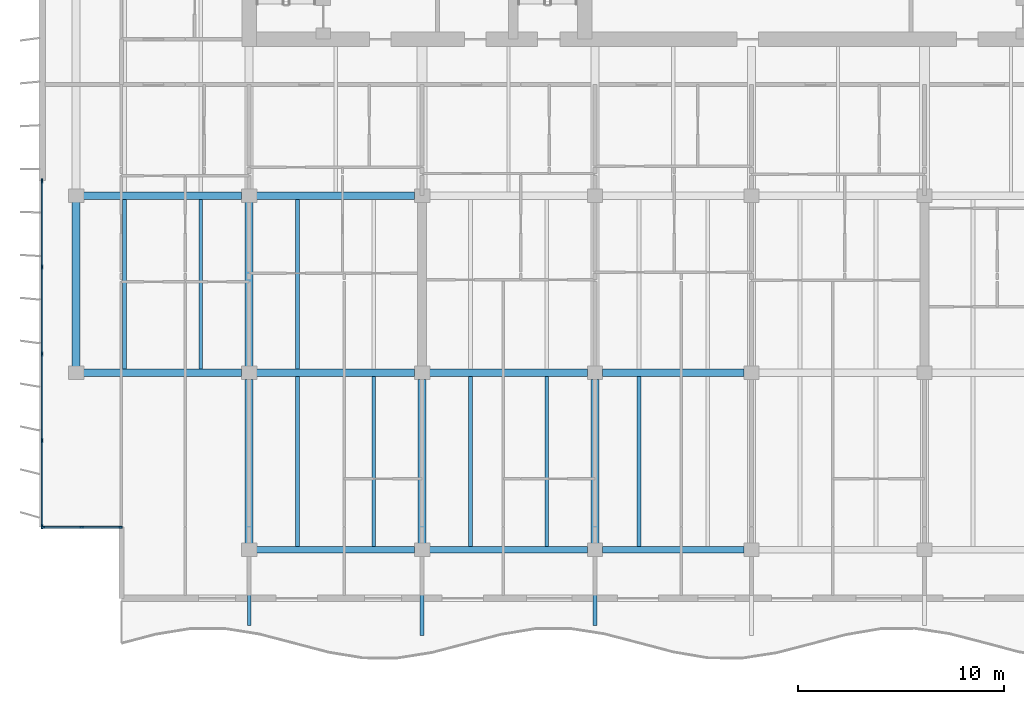
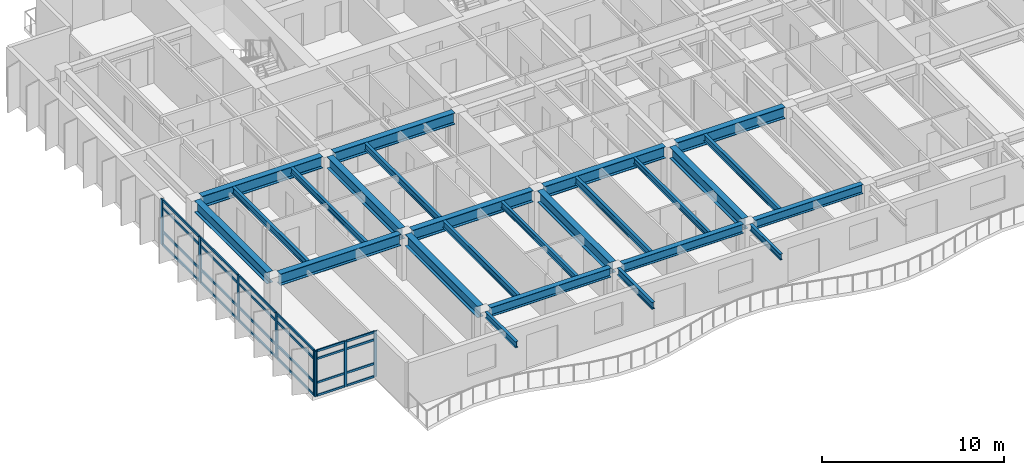
# One storey, part 2 of 17: 32 members, 25 beams, 2 elements without a shape of their own.
"""IFC4 building model written with IfcOpenShell, lengths in metres."""

from ifc_helpers import new_model, si_unit, direction, frame, origin, origin_2d, place, context, subcontext, project, spatial, rectangle, i_section, extrude, material, layer, layer_set, material_profile, profile_set, type_object, element, aggregate, save


model = new_model("IFC4")

# Units and contexts
model_context = context("Model", 3, precision=1e-05, world=origin(), true_north=direction((0.0, 1.0)))
body_context = subcontext(model_context, "Body", "Model", "MODEL_VIEW")
ifc_project = project(units=[si_unit("LENGTHUNIT", "METRE"), si_unit("AREAUNIT", "SQUARE_METRE"), si_unit("VOLUMEUNIT", "CUBIC_METRE"), si_unit("PLANEANGLEUNIT", "RADIAN"), si_unit("MASSUNIT", "GRAM", prefix="KILO")], contexts=[model_context])

# Site, building, storey
site_placement = place(None, origin())
site = spatial("IfcSite", under=ifc_project, at=site_placement, CompositionType="ELEMENT")
building_placement = place(site_placement, origin())
building = spatial("IfcBuilding", under=site, at=building_placement, Name="Caelmar Bay Residences", CompositionType="ELEMENT")
storey_placement = place(building_placement, frame((0.0, 0.0, 262.800048828125)))
storey = spatial("IfcBuildingStorey", under=building, at=storey_placement, Name="L74", CompositionType="ELEMENT", Elevation=262.800048828125)

# Beams
ifc_material_1 = material(Name="Steel ASTM A992 Grade 50", Category="steel")
ifc_material_profile_1 = material_profile(ifc_material_1, i_section(OverallWidth=0.177978515625, OverallDepth=0.406005859375, WebThickness=0.0078125, FlangeThickness=0.0126953125, FilletRadius=0.0087890625, at=origin_2d()), Name="W16X40")
ifc_profile_set_1 = profile_set([ifc_material_profile_1], Name="Steel ASTM A992 Grade 50")
beam_type_1 = type_object("IfcBeamType", Name="BM-BAL-W16X40", PredefinedType="JOIST", material=ifc_profile_set_1)
for number, where, z_axis, x_axis, name in (
    (1, (24.347900390625, 12.362548828125, 2.846923828125), (0.0, 1.0, 0.0), (-1.0, 0.0, 0.0), "L74 Composite Floor Joist 2"),
    (2, (32.748046875, 12.362548828125, 2.846923828125), (0.0, 1.0, 0.0), (-1.0, 0.0, 0.0), "L74 Composite Floor Joist 4"),
):
    element("IfcBeam", number, at=place(storey_placement, frame(where, z_axis=z_axis, x_axis=x_axis)), inside=storey, type_object=beam_type_1, Name=name, PredefinedType="JOIST", context=body_context, shape_type="SweptSolid", body=[
        extrude(i_section(OverallWidth=0.177978515625, OverallDepth=0.406005859375, WebThickness=0.0078125, FlangeThickness=0.0126953125, FilletRadius=0.0087890625, at=origin_2d()), origin(), (0.0, 0.0, 1.0), 8.2470703125),
    ])
beam_1_placement = place(storey_placement, frame((15.947998046875, 20.990478515625, 2.846923828125), z_axis=(0.0, 1.0, 0.0), x_axis=(-1.0, 0.0, 0.0)))
element("IfcBeam", 3, at=beam_1_placement, inside=storey, type_object=beam_type_1, Name="L74 Composite Floor Joist 12", PredefinedType="JOIST", context=body_context, shape_type="SweptSolid", body=[
    extrude(i_section(OverallWidth=0.177978515625, OverallDepth=0.406005859375, WebThickness=0.0078125, FlangeThickness=0.0126953125, FilletRadius=0.0087890625, at=origin_2d()), origin(), (0.0, 0.0, 1.0), 8.218994140625),
])
for number, where, z_axis, x_axis, name in (
    (4, (18.300048828125, 11.885009765625, 2.846923828125), (0.0, -1.0, 0.0), (1.0, 0.0, 0.0), "L75 South Balcony Cantilever Bracket 1"),
    (5, (35.10009765625, 11.885009765625, 2.846923828125), (0.0, -1.0, 0.0), (1.0, 0.0, 0.0), "L75 South Balcony Cantilever Bracket 3"),
):
    element("IfcBeam", number, at=place(storey_placement, frame(where, z_axis=z_axis, x_axis=x_axis)), inside=storey, type_object=beam_type_1, Name=name, PredefinedType="JOIST", context=body_context, shape_type="SweptSolid", body=[
        extrude(i_section(OverallWidth=0.177978515625, OverallDepth=0.406005859375, WebThickness=0.0078125, FlangeThickness=0.0126953125, FilletRadius=0.0087890625, at=origin_2d()), origin(), (0.0, 0.0, 1.0), 3.3603515625),
    ])
ifc_material_profile_2 = material_profile(ifc_material_1, i_section(OverallWidth=0.193115234375, OverallDepth=0.467041015625, WebThickness=0.011474609375, FlangeThickness=0.01904296875, FilletRadius=0.01025390625, at=origin_2d()), Name="W18X65")
ifc_profile_set_2 = profile_set([ifc_material_profile_2], Name="Steel ASTM A992 Grade 50")
beam_type_2 = type_object("IfcBeamType", Name="BM-BAL-W18X65", PredefinedType="BEAM", material=ifc_profile_set_2)
beam_2_placement = place(storey_placement, frame((26.699951171875, 11.885009765625, 2.81640625), z_axis=(0.0, -1.0, 0.0), x_axis=(1.0, 0.0, 0.0)))
element("IfcBeam", 6, at=beam_2_placement, inside=storey, type_object=beam_type_2, Name="L75 South Balcony Cantilever Bracket 2", PredefinedType="BEAM", context=body_context, shape_type="SweptSolid", body=[
    extrude(i_section(OverallWidth=0.193115234375, OverallDepth=0.467041015625, WebThickness=0.011474609375, FlangeThickness=0.01904296875, FilletRadius=0.01025390625, at=origin_2d()), origin(), (0.0, 0.0, 1.0), 3.85009765625),
])
ifc_material_profile_3 = material_profile(ifc_material_1, i_section(OverallWidth=0.381103515625, OverallDepth=0.77197265625, WebThickness=0.0166015625, FlangeThickness=0.027099609375, FilletRadius=0.0166015625, at=origin_2d()), Name="W30X173")
ifc_profile_set_3 = profile_set([ifc_material_profile_3], Name="Steel ASTM A992 Grade 50")
beam_type_3 = type_object("IfcBeamType", Name="BM-GRD-W30X173", PredefinedType="BEAM", material=ifc_profile_set_3)
beam_3_placement = place(storey_placement, frame((10.264892578125, 20.800048828125, 2.6640625), z_axis=(1.0, 0.0, 0.0), x_axis=(0.0, 1.0, 0.0)))
element("IfcBeam", 7, at=beam_3_placement, inside=storey, type_object=beam_type_3, Name="L74 East-West Girder Y=20.80 (9.9-18.3)", PredefinedType="BEAM", context=body_context, shape_type="SweptSolid", body=[
    extrude(i_section(OverallWidth=0.381103515625, OverallDepth=0.77197265625, WebThickness=0.0166015625, FlangeThickness=0.027099609375, FilletRadius=0.0166015625, at=origin_2d()), origin(), (0.0, 0.0, 1.0), 7.670166015625),
])
beam_4_placement = place(storey_placement, frame((18.6650390625, 20.800048828125, 2.6640625), z_axis=(1.0, 0.0, 0.0), x_axis=(0.0, 1.0, 0.0)))
element("IfcBeam", 8, at=beam_4_placement, inside=storey, type_object=beam_type_3, Name="L74 East-West Girder Y=20.80 (18.3-26.7)", PredefinedType="BEAM", context=body_context, shape_type="SweptSolid", body=[
    extrude(i_section(OverallWidth=0.381103515625, OverallDepth=0.77197265625, WebThickness=0.0166015625, FlangeThickness=0.027099609375, FilletRadius=0.0166015625, at=origin_2d()), origin(), (0.0, 0.0, 1.0), 7.669921875),
])
beam_5_placement = place(storey_placement, frame((27.06494140625, 20.800048828125, 2.6640625), z_axis=(1.0, 0.0, 0.0), x_axis=(0.0, 1.0, 0.0)))
element("IfcBeam", 9, at=beam_5_placement, inside=storey, type_object=beam_type_3, Name="L74 East-West Girder Y=20.80 (26.7-35.1)", PredefinedType="BEAM", context=body_context, shape_type="SweptSolid", body=[
    extrude(i_section(OverallWidth=0.381103515625, OverallDepth=0.77197265625, WebThickness=0.0166015625, FlangeThickness=0.027099609375, FilletRadius=0.0166015625, at=origin_2d()), origin(), (0.0, 0.0, 1.0), 7.670166015625),
])
beam_6_placement = place(storey_placement, frame((35.465087890625, 20.800048828125, 2.6640625), z_axis=(1.0, 0.0, 0.0), x_axis=(0.0, 1.0, 0.0)))
element("IfcBeam", 10, at=beam_6_placement, inside=storey, type_object=beam_type_3, Name="L74 East-West Girder Y=20.80 (35.1-42.7)", PredefinedType="BEAM", context=body_context, shape_type="SweptSolid", body=[
    extrude(i_section(OverallWidth=0.381103515625, OverallDepth=0.77197265625, WebThickness=0.0166015625, FlangeThickness=0.027099609375, FilletRadius=0.0166015625, at=origin_2d()), origin(), (0.0, 0.0, 1.0), 6.869873046875),
])
beam_7_placement = place(storey_placement, frame((10.264892578125, 29.39990234375, 2.6640625), z_axis=(1.0, 0.0, 0.0), x_axis=(0.0, 1.0, 0.0)))
element("IfcBeam", 11, at=beam_7_placement, inside=storey, type_object=beam_type_3, Name="L74 East-West Girder Y=29.40 (9.9-18.3)", PredefinedType="BEAM", context=body_context, shape_type="SweptSolid", body=[
    extrude(i_section(OverallWidth=0.381103515625, OverallDepth=0.77197265625, WebThickness=0.0166015625, FlangeThickness=0.027099609375, FilletRadius=0.0166015625, at=origin_2d()), origin(), (0.0, 0.0, 1.0), 7.670166015625),
])
beam_8_placement = place(storey_placement, frame((18.6650390625, 29.39990234375, 2.6640625), z_axis=(1.0, 0.0, 0.0), x_axis=(0.0, 1.0, 0.0)))
element("IfcBeam", 12, at=beam_8_placement, inside=storey, type_object=beam_type_3, Name="L74 East-West Girder Y=29.40 (18.3-26.7)", PredefinedType="BEAM", context=body_context, shape_type="SweptSolid", body=[
    extrude(i_section(OverallWidth=0.381103515625, OverallDepth=0.77197265625, WebThickness=0.0166015625, FlangeThickness=0.027099609375, FilletRadius=0.0166015625, at=origin_2d()), origin(), (0.0, 0.0, 1.0), 7.669921875),
])
beam_9_placement = place(storey_placement, frame((9.89990234375, 21.114990234375, 2.6640625), z_axis=(0.0, 1.0, 0.0), x_axis=(-1.0, 0.0, 0.0)))
element("IfcBeam", 13, at=beam_9_placement, inside=storey, type_object=beam_type_3, Name="L74 North-South Girder X=9.90 (20.8-29.4)", PredefinedType="BEAM", context=body_context, shape_type="SweptSolid", body=[
    extrude(i_section(OverallWidth=0.381103515625, OverallDepth=0.77197265625, WebThickness=0.0166015625, FlangeThickness=0.027099609375, FilletRadius=0.0166015625, at=origin_2d()), origin(), (0.0, 0.0, 1.0), 7.969970703125),
])
beam_10_placement = place(storey_placement, frame((18.300048828125, 12.514892578125, 2.6640625), z_axis=(0.0, 1.0, 0.0), x_axis=(-1.0, 0.0, 0.0)))
element("IfcBeam", 14, at=beam_10_placement, inside=storey, type_object=beam_type_3, Name="L74 North-South Girder X=18.30 (12.2-20.8)", PredefinedType="BEAM", context=body_context, shape_type="SweptSolid", body=[
    extrude(i_section(OverallWidth=0.381103515625, OverallDepth=0.77197265625, WebThickness=0.0166015625, FlangeThickness=0.027099609375, FilletRadius=0.0166015625, at=origin_2d()), origin(), (0.0, 0.0, 1.0), 7.97021484375),
])
beam_11_placement = place(storey_placement, frame((18.300048828125, 21.114990234375, 2.6640625), z_axis=(0.0, 1.0, 0.0), x_axis=(-1.0, 0.0, 0.0)))
element("IfcBeam", 15, at=beam_11_placement, inside=storey, type_object=beam_type_3, Name="L74 North-South Girder X=18.30 (20.8-29.4)", PredefinedType="BEAM", context=body_context, shape_type="SweptSolid", body=[
    extrude(i_section(OverallWidth=0.381103515625, OverallDepth=0.77197265625, WebThickness=0.0166015625, FlangeThickness=0.027099609375, FilletRadius=0.0166015625, at=origin_2d()), origin(), (0.0, 0.0, 1.0), 7.969970703125),
])
for number, where, z_axis, x_axis, name in (
    (16, (26.699951171875, 12.514892578125, 2.6640625), (0.0, 1.0, 0.0), (-1.0, 0.0, 0.0), "L74 North-South Girder X=26.70 (12.2-20.8)"),
    (17, (35.10009765625, 12.514892578125, 2.6640625), (0.0, 1.0, 0.0), (-1.0, 0.0, 0.0), "L74 North-South Girder X=35.10 (12.2-20.8)"),
):
    element("IfcBeam", number, at=place(storey_placement, frame(where, z_axis=z_axis, x_axis=x_axis)), inside=storey, type_object=beam_type_3, Name=name, PredefinedType="BEAM", context=body_context, shape_type="SweptSolid", body=[
        extrude(i_section(OverallWidth=0.381103515625, OverallDepth=0.77197265625, WebThickness=0.0166015625, FlangeThickness=0.027099609375, FilletRadius=0.0166015625, at=origin_2d()), origin(), (0.0, 0.0, 1.0), 7.97021484375),
    ])
ifc_material_profile_4 = material_profile(ifc_material_1, i_section(OverallWidth=0.19091796875, OverallDepth=0.45703125, WebThickness=0.009033203125, FlangeThickness=0.014404296875, FilletRadius=0.01025390625, at=origin_2d()), Name="W18X50")
ifc_profile_set_4 = profile_set([ifc_material_profile_4], Name="Steel ASTM A992 Grade 50")
beam_type_4 = type_object("IfcBeamType", Name="BM-JST-W18X50", PredefinedType="JOIST", material=ifc_profile_set_4)
for number, where, z_axis, x_axis, name in (
    (18, (20.652099609375, 12.362548828125, 2.821533203125), (0.0, 1.0, 0.0), (-1.0, 0.0, 0.0), "L74 Composite Floor Joist 1"),
    (19, (29.052001953125, 12.362548828125, 2.821533203125), (0.0, 1.0, 0.0), (-1.0, 0.0, 0.0), "L74 Composite Floor Joist 3"),
    (20, (37.22802734375, 12.362548828125, 2.821533203125), (0.0, 1.0, 0.0), (-1.0, 0.0, 0.0), "L74 Composite Floor Joist 5"),
):
    element("IfcBeam", number, at=place(storey_placement, frame(where, z_axis=z_axis, x_axis=x_axis)), inside=storey, type_object=beam_type_4, Name=name, PredefinedType="JOIST", context=body_context, shape_type="SweptSolid", body=[
        extrude(i_section(OverallWidth=0.19091796875, OverallDepth=0.45703125, WebThickness=0.009033203125, FlangeThickness=0.014404296875, FilletRadius=0.01025390625, at=origin_2d()), origin(), (0.0, 0.0, 1.0), 8.2470703125),
    ])
for number, where, z_axis, x_axis, name in (
    (21, (12.251953125, 20.990478515625, 2.821533203125), (0.0, 1.0, 0.0), (-1.0, 0.0, 0.0), "L74 Composite Floor Joist 11"),
    (22, (20.652099609375, 20.990478515625, 2.821533203125), (0.0, 1.0, 0.0), (-1.0, 0.0, 0.0), "L74 Composite Floor Joist 13"),
):
    element("IfcBeam", number, at=place(storey_placement, frame(where, z_axis=z_axis, x_axis=x_axis)), inside=storey, type_object=beam_type_4, Name=name, PredefinedType="JOIST", context=body_context, shape_type="SweptSolid", body=[
        extrude(i_section(OverallWidth=0.19091796875, OverallDepth=0.45703125, WebThickness=0.009033203125, FlangeThickness=0.014404296875, FilletRadius=0.01025390625, at=origin_2d()), origin(), (0.0, 0.0, 1.0), 8.218994140625),
    ])
ifc_material_profile_5 = material_profile(ifc_material_1, i_section(OverallWidth=0.324951171875, OverallDepth=0.616943359375, WebThickness=0.013916015625, FlangeThickness=0.021484375, FilletRadius=0.0126953125, at=origin_2d()), Name="W24X117")
ifc_profile_set_5 = profile_set([ifc_material_profile_5], Name="Steel ASTM A992 Grade 50")
beam_type_5 = type_object("IfcBeamType", Name="BM-SPN-W24X117", PredefinedType="SPANDREL", material=ifc_profile_set_5)
beam_12_placement = place(storey_placement, frame((18.6650390625, 12.199951171875, 2.741455078125), z_axis=(1.0, 0.0, 0.0), x_axis=(0.0, 1.0, 0.0)))
element("IfcBeam", 23, at=beam_12_placement, inside=storey, type_object=beam_type_5, Name="L74 East-West Girder Y=12.20 (18.3-26.7)", PredefinedType="SPANDREL", context=body_context, shape_type="SweptSolid", body=[
    extrude(i_section(OverallWidth=0.324951171875, OverallDepth=0.616943359375, WebThickness=0.013916015625, FlangeThickness=0.021484375, FilletRadius=0.0126953125, at=origin_2d()), origin(), (0.0, 0.0, 1.0), 7.669921875),
])
beam_13_placement = place(storey_placement, frame((27.06494140625, 12.199951171875, 2.741455078125), z_axis=(1.0, 0.0, 0.0), x_axis=(0.0, 1.0, 0.0)))
element("IfcBeam", 24, at=beam_13_placement, inside=storey, type_object=beam_type_5, Name="L74 East-West Girder Y=12.20 (26.7-35.1)", PredefinedType="SPANDREL", context=body_context, shape_type="SweptSolid", body=[
    extrude(i_section(OverallWidth=0.324951171875, OverallDepth=0.616943359375, WebThickness=0.013916015625, FlangeThickness=0.021484375, FilletRadius=0.0126953125, at=origin_2d()), origin(), (0.0, 0.0, 1.0), 7.670166015625),
])
beam_14_placement = place(storey_placement, frame((35.465087890625, 12.199951171875, 2.741455078125), z_axis=(1.0, 0.0, 0.0), x_axis=(0.0, 1.0, 0.0)))
element("IfcBeam", 25, at=beam_14_placement, inside=storey, type_object=beam_type_5, Name="L74 East-West Girder Y=12.20 (35.1-42.7)", PredefinedType="SPANDREL", context=body_context, shape_type="SweptSolid", body=[
    extrude(i_section(OverallWidth=0.324951171875, OverallDepth=0.616943359375, WebThickness=0.013916015625, FlangeThickness=0.021484375, FilletRadius=0.0126953125, at=origin_2d()), origin(), (0.0, 0.0, 1.0), 6.869873046875),
])

# Curtain wall, members
ifc_material_2 = material(Name="Anodised bronze aluminium 6063-T6 and laminated glass", Category="aluminium")
ifc_layer_1 = layer(ifc_material_2, 0.179931640625)
ifc_layer_set_1 = layer_set([ifc_layer_1], Name="Anodised bronze aluminium 6063-T6 and laminated glass")
curtain_wall_type_1 = type_object("IfcCurtainWallType", Name="CW6-NTC", PredefinedType="NOTDEFINED", material=ifc_layer_set_1)
curtain_wall_1_placement = place(storey_placement, origin())
curtain_wall_1 = element("IfcCurtainWall", 26, at=curtain_wall_1_placement, inside=storey, type_object=curtain_wall_type_1, Name="CW6 curtain wall L74", PredefinedType="NOTDEFINED")
ifc_material_3 = material(Name="Anodised bronze aluminium 6063-T6", Category="aluminium")
ifc_material_profile_6 = material_profile(ifc_material_3, rectangle(XDim=0.080078125, YDim=0.179931640625, at=origin_2d()), Name="CWM-80X180")
ifc_profile_set_6 = profile_set([ifc_material_profile_6], Name="Anodised bronze aluminium 6063-T6")
member_type_1 = type_object("IfcMemberType", Name="CWM-180", PredefinedType="MULLION", material=ifc_profile_set_6)
member_1_placement = place(storey_placement, frame((8.2900390625, 13.300048828125, 0.0), z_axis=(0.0, 0.0, 1.0), x_axis=(0.0, 1.0, 0.0)))
member_1 = element("IfcMember", 27, at=member_1_placement, type_object=member_type_1, Name="CW6 mullion 1", PredefinedType="MULLION", context=body_context, shape_type="SweptSolid", body=[
    extrude(rectangle(XDim=0.080078125, YDim=0.179931640625, at=origin_2d()), origin(), (0.0, 0.0, 1.0), 3.050048828125),
])
member_2_placement = place(storey_placement, frame((10.175048828125, 13.300048828125, 0.0), z_axis=(0.0, 0.0, 1.0), x_axis=(0.0, 1.0, 0.0)))
member_2 = element("IfcMember", 28, at=member_2_placement, type_object=member_type_1, Name="CW6 mullion 2", PredefinedType="MULLION", context=body_context, shape_type="SweptSolid", body=[
    extrude(rectangle(XDim=0.080078125, YDim=0.179931640625, at=origin_2d()), origin(), (0.0, 0.0, 1.0), 3.050048828125),
])
member_3_placement = place(storey_placement, frame((12.06005859375, 13.300048828125, 0.0), z_axis=(0.0, 0.0, 1.0), x_axis=(0.0, 1.0, 0.0)))
member_3 = element("IfcMember", 29, at=member_3_placement, type_object=member_type_1, Name="CW6 mullion 3", PredefinedType="MULLION", context=body_context, shape_type="SweptSolid", body=[
    extrude(rectangle(XDim=0.080078125, YDim=0.179931640625, at=origin_2d()), origin(), (0.0, 0.0, 1.0), 3.050048828125),
])

ifc_layer_2 = layer(ifc_material_2, 0.179931640625)
ifc_layer_set_2 = layer_set([ifc_layer_2], Name="Anodised bronze aluminium 6063-T6 and laminated glass")
curtain_wall_type_2 = type_object("IfcCurtainWallType", Name="CW5-Z4", PredefinedType="NOTDEFINED", material=ifc_layer_set_2)
curtain_wall_2_placement = place(storey_placement, origin())
curtain_wall_2 = element("IfcCurtainWall", 30, at=curtain_wall_2_placement, inside=storey, type_object=curtain_wall_type_2, Name="CW5 curtain wall L74", PredefinedType="NOTDEFINED")
ifc_material_profile_7 = material_profile(ifc_material_3, rectangle(XDim=0.080078125, YDim=0.219970703125, at=origin_2d()), Name="CWM-80X220")
ifc_profile_set_7 = profile_set([ifc_material_profile_7], Name="Anodised bronze aluminium 6063-T6")
member_type_2 = type_object("IfcMemberType", Name="CWM-220", PredefinedType="MULLION", material=ifc_profile_set_7)
member_4_placement = place(storey_placement, frame((8.25, 13.340087890625, 0.0), z_axis=(0.0, 0.0, 1.0), x_axis=(-1.0, 0.0, 0.0)))
member_4 = element("IfcMember", 31, at=member_4_placement, type_object=member_type_2, Name="CW5 mullion 1", PredefinedType="MULLION", context=body_context, shape_type="SweptSolid", body=[
    extrude(rectangle(XDim=0.080078125, YDim=0.219970703125, at=origin_2d()), origin(), (0.0, 0.0, 1.0), 3.050048828125),
])
member_5_placement = place(storey_placement, frame((8.25, 17.512451171875, 0.0), z_axis=(0.0, 0.0, 1.0), x_axis=(-1.0, 0.0, 0.0)))
member_5 = element("IfcMember", 32, at=member_5_placement, type_object=member_type_2, Name="CW5 mullion 2", PredefinedType="MULLION", context=body_context, shape_type="SweptSolid", body=[
    extrude(rectangle(XDim=0.080078125, YDim=0.219970703125, at=origin_2d()), origin(), (0.0, 0.0, 1.0), 3.050048828125),
])
member_6_placement = place(storey_placement, frame((8.25, 21.72509765625, 0.0), z_axis=(0.0, 0.0, 1.0), x_axis=(-1.0, 0.0, 0.0)))
member_6 = element("IfcMember", 33, at=member_6_placement, type_object=member_type_2, Name="CW5 mullion 3", PredefinedType="MULLION", context=body_context, shape_type="SweptSolid", body=[
    extrude(rectangle(XDim=0.080078125, YDim=0.219970703125, at=origin_2d()), origin(), (0.0, 0.0, 1.0), 3.050048828125),
])
member_7_placement = place(storey_placement, frame((8.25, 25.9375, 0.0), z_axis=(0.0, 0.0, 1.0), x_axis=(-1.0, 0.0, 0.0)))
member_7 = element("IfcMember", 34, at=member_7_placement, type_object=member_type_2, Name="CW5 mullion 4", PredefinedType="MULLION", context=body_context, shape_type="SweptSolid", body=[
    extrude(rectangle(XDim=0.080078125, YDim=0.219970703125, at=origin_2d()), origin(), (0.0, 0.0, 1.0), 3.050048828125),
])
member_8_placement = place(storey_placement, frame((8.25, 30.110107421875, 0.0), z_axis=(0.0, 0.0, 1.0), x_axis=(-1.0, 0.0, 0.0)))
member_8 = element("IfcMember", 35, at=member_8_placement, type_object=member_type_2, Name="CW5 mullion 5", PredefinedType="MULLION", context=body_context, shape_type="SweptSolid", body=[
    extrude(rectangle(XDim=0.080078125, YDim=0.219970703125, at=origin_2d()), origin(), (0.0, 0.0, 1.0), 3.050048828125),
])

# Member
ifc_material_profile_8 = material_profile(ifc_material_3, rectangle(XDim=0.080078125, YDim=0.139892578125, at=origin_2d()), Name="CWT-80X140")
ifc_profile_set_8 = profile_set([ifc_material_profile_8], Name="Anodised bronze aluminium 6063-T6")
member_type_3 = type_object("IfcMemberType", Name="CWT-140", PredefinedType="NOTDEFINED", material=ifc_profile_set_8)
member_9_placement = place(storey_placement, frame((8.330078125, 13.300048828125, 0.0400390625), z_axis=(1.0, 0.0, 0.0), x_axis=(0.0, 1.0, 0.0)))
member_9 = element("IfcMember", 36, at=member_9_placement, type_object=member_type_3, Name="CW6 transom 1.1", ObjectType="TRANSOM", PredefinedType="USERDEFINED", context=body_context, shape_type="SweptSolid", body=[
    extrude(rectangle(XDim=0.080078125, YDim=0.139892578125, at=origin_2d()), origin(), (0.0, 0.0, 1.0), 1.804931640625),
])

member_10_placement = place(storey_placement, frame((8.330078125, 13.300048828125, 0.89990234375), z_axis=(1.0, 0.0, 0.0), x_axis=(0.0, 1.0, 0.0)))
member_10 = element("IfcMember", 37, at=member_10_placement, type_object=member_type_3, Name="CW6 transom 1.2", ObjectType="TRANSOM", PredefinedType="USERDEFINED", context=body_context, shape_type="SweptSolid", body=[
    extrude(rectangle(XDim=0.080078125, YDim=0.139892578125, at=origin_2d()), origin(), (0.0, 0.0, 1.0), 1.804931640625),
])

member_11_placement = place(storey_placement, frame((8.330078125, 13.300048828125, 2.5), z_axis=(1.0, 0.0, 0.0), x_axis=(0.0, 1.0, 0.0)))
member_11 = element("IfcMember", 38, at=member_11_placement, type_object=member_type_3, Name="CW6 transom 1.3", ObjectType="TRANSOM", PredefinedType="USERDEFINED", context=body_context, shape_type="SweptSolid", body=[
    extrude(rectangle(XDim=0.080078125, YDim=0.139892578125, at=origin_2d()), origin(), (0.0, 0.0, 1.0), 1.804931640625),
])

member_12_placement = place(storey_placement, frame((8.330078125, 13.300048828125, 3.010009765625), z_axis=(1.0, 0.0, 0.0), x_axis=(0.0, 1.0, 0.0)))
member_12 = element("IfcMember", 39, at=member_12_placement, type_object=member_type_3, Name="CW6 transom 1.4", ObjectType="TRANSOM", PredefinedType="USERDEFINED", context=body_context, shape_type="SweptSolid", body=[
    extrude(rectangle(XDim=0.080078125, YDim=0.139892578125, at=origin_2d()), origin(), (0.0, 0.0, 1.0), 1.804931640625),
])

member_13_placement = place(storey_placement, frame((10.215087890625, 13.300048828125, 0.0400390625), z_axis=(1.0, 0.0, 0.0), x_axis=(0.0, 1.0, 0.0)))
member_13 = element("IfcMember", 40, at=member_13_placement, type_object=member_type_3, Name="CW6 transom 2.1", ObjectType="TRANSOM", PredefinedType="USERDEFINED", context=body_context, shape_type="SweptSolid", body=[
    extrude(rectangle(XDim=0.080078125, YDim=0.139892578125, at=origin_2d()), origin(), (0.0, 0.0, 1.0), 1.804931640625),
])

member_14_placement = place(storey_placement, frame((10.215087890625, 13.300048828125, 0.89990234375), z_axis=(1.0, 0.0, 0.0), x_axis=(0.0, 1.0, 0.0)))
member_14 = element("IfcMember", 41, at=member_14_placement, type_object=member_type_3, Name="CW6 transom 2.2", ObjectType="TRANSOM", PredefinedType="USERDEFINED", context=body_context, shape_type="SweptSolid", body=[
    extrude(rectangle(XDim=0.080078125, YDim=0.139892578125, at=origin_2d()), origin(), (0.0, 0.0, 1.0), 1.804931640625),
])

member_15_placement = place(storey_placement, frame((10.215087890625, 13.300048828125, 2.5), z_axis=(1.0, 0.0, 0.0), x_axis=(0.0, 1.0, 0.0)))
member_15 = element("IfcMember", 42, at=member_15_placement, type_object=member_type_3, Name="CW6 transom 2.3", ObjectType="TRANSOM", PredefinedType="USERDEFINED", context=body_context, shape_type="SweptSolid", body=[
    extrude(rectangle(XDim=0.080078125, YDim=0.139892578125, at=origin_2d()), origin(), (0.0, 0.0, 1.0), 1.804931640625),
])

member_16_placement = place(storey_placement, frame((10.215087890625, 13.300048828125, 3.010009765625), z_axis=(1.0, 0.0, 0.0), x_axis=(0.0, 1.0, 0.0)))
member_16 = element("IfcMember", 43, at=member_16_placement, type_object=member_type_3, Name="CW6 transom 2.4", ObjectType="TRANSOM", PredefinedType="USERDEFINED", context=body_context, shape_type="SweptSolid", body=[
    extrude(rectangle(XDim=0.080078125, YDim=0.139892578125, at=origin_2d()), origin(), (0.0, 0.0, 1.0), 1.804931640625),
])

aggregate(curtain_wall_1, [member_1, member_2, member_3, member_9, member_10, member_11, member_12, member_13, member_14, member_15, member_16])

ifc_material_profile_9 = material_profile(ifc_material_3, rectangle(XDim=0.080078125, YDim=0.159912109375, at=origin_2d()), Name="CWT-80X160")
ifc_profile_set_9 = profile_set([ifc_material_profile_9], Name="Anodised bronze aluminium 6063-T6")
member_type_4 = type_object("IfcMemberType", Name="CWT-160", PredefinedType="NOTDEFINED", material=ifc_profile_set_9)
member_17_placement = place(storey_placement, frame((8.25, 13.3798828125, 0.0400390625), z_axis=(0.0, 1.0, 0.0), x_axis=(-1.0, 0.0, 0.0)))
member_17 = element("IfcMember", 44, at=member_17_placement, type_object=member_type_4, Name="CW5 transom 1.1", ObjectType="TRANSOM", PredefinedType="USERDEFINED", context=body_context, shape_type="SweptSolid", body=[
    extrude(rectangle(XDim=0.080078125, YDim=0.159912109375, at=origin_2d()), origin(), (0.0, 0.0, 1.0), 4.092529296875),
])

member_18_placement = place(storey_placement, frame((8.25, 13.3798828125, 0.89990234375), z_axis=(0.0, 1.0, 0.0), x_axis=(-1.0, 0.0, 0.0)))
member_18 = element("IfcMember", 45, at=member_18_placement, type_object=member_type_4, Name="CW5 transom 1.2", ObjectType="TRANSOM", PredefinedType="USERDEFINED", context=body_context, shape_type="SweptSolid", body=[
    extrude(rectangle(XDim=0.080078125, YDim=0.159912109375, at=origin_2d()), origin(), (0.0, 0.0, 1.0), 4.092529296875),
])

member_19_placement = place(storey_placement, frame((8.25, 13.3798828125, 2.5), z_axis=(0.0, 1.0, 0.0), x_axis=(-1.0, 0.0, 0.0)))
member_19 = element("IfcMember", 46, at=member_19_placement, type_object=member_type_4, Name="CW5 transom 1.3", ObjectType="TRANSOM", PredefinedType="USERDEFINED", context=body_context, shape_type="SweptSolid", body=[
    extrude(rectangle(XDim=0.080078125, YDim=0.159912109375, at=origin_2d()), origin(), (0.0, 0.0, 1.0), 4.092529296875),
])

member_20_placement = place(storey_placement, frame((8.25, 13.3798828125, 3.010009765625), z_axis=(0.0, 1.0, 0.0), x_axis=(-1.0, 0.0, 0.0)))
member_20 = element("IfcMember", 47, at=member_20_placement, type_object=member_type_4, Name="CW5 transom 1.4", ObjectType="TRANSOM", PredefinedType="USERDEFINED", context=body_context, shape_type="SweptSolid", body=[
    extrude(rectangle(XDim=0.080078125, YDim=0.159912109375, at=origin_2d()), origin(), (0.0, 0.0, 1.0), 4.092529296875),
])

member_21_placement = place(storey_placement, frame((8.25, 17.552490234375, 0.0400390625), z_axis=(0.0, 1.0, 0.0), x_axis=(-1.0, 0.0, 0.0)))
member_21 = element("IfcMember", 48, at=member_21_placement, type_object=member_type_4, Name="CW5 transom 2.1", ObjectType="TRANSOM", PredefinedType="USERDEFINED", context=body_context, shape_type="SweptSolid", body=[
    extrude(rectangle(XDim=0.080078125, YDim=0.159912109375, at=origin_2d()), origin(), (0.0, 0.0, 1.0), 4.132568359375),
])

member_22_placement = place(storey_placement, frame((8.25, 17.552490234375, 0.89990234375), z_axis=(0.0, 1.0, 0.0), x_axis=(-1.0, 0.0, 0.0)))
member_22 = element("IfcMember", 49, at=member_22_placement, type_object=member_type_4, Name="CW5 transom 2.2", ObjectType="TRANSOM", PredefinedType="USERDEFINED", context=body_context, shape_type="SweptSolid", body=[
    extrude(rectangle(XDim=0.080078125, YDim=0.159912109375, at=origin_2d()), origin(), (0.0, 0.0, 1.0), 4.132568359375),
])

member_23_placement = place(storey_placement, frame((8.25, 17.552490234375, 2.5), z_axis=(0.0, 1.0, 0.0), x_axis=(-1.0, 0.0, 0.0)))
member_23 = element("IfcMember", 50, at=member_23_placement, type_object=member_type_4, Name="CW5 transom 2.3", ObjectType="TRANSOM", PredefinedType="USERDEFINED", context=body_context, shape_type="SweptSolid", body=[
    extrude(rectangle(XDim=0.080078125, YDim=0.159912109375, at=origin_2d()), origin(), (0.0, 0.0, 1.0), 4.132568359375),
])

member_24_placement = place(storey_placement, frame((8.25, 17.552490234375, 3.010009765625), z_axis=(0.0, 1.0, 0.0), x_axis=(-1.0, 0.0, 0.0)))
member_24 = element("IfcMember", 51, at=member_24_placement, type_object=member_type_4, Name="CW5 transom 2.4", ObjectType="TRANSOM", PredefinedType="USERDEFINED", context=body_context, shape_type="SweptSolid", body=[
    extrude(rectangle(XDim=0.080078125, YDim=0.159912109375, at=origin_2d()), origin(), (0.0, 0.0, 1.0), 4.132568359375),
])

member_25_placement = place(storey_placement, frame((8.25, 21.764892578125, 0.0400390625), z_axis=(0.0, 1.0, 0.0), x_axis=(-1.0, 0.0, 0.0)))
member_25 = element("IfcMember", 52, at=member_25_placement, type_object=member_type_4, Name="CW5 transom 3.1", ObjectType="TRANSOM", PredefinedType="USERDEFINED", context=body_context, shape_type="SweptSolid", body=[
    extrude(rectangle(XDim=0.080078125, YDim=0.159912109375, at=origin_2d()), origin(), (0.0, 0.0, 1.0), 4.132568359375),
])

member_26_placement = place(storey_placement, frame((8.25, 21.764892578125, 0.89990234375), z_axis=(0.0, 1.0, 0.0), x_axis=(-1.0, 0.0, 0.0)))
member_26 = element("IfcMember", 53, at=member_26_placement, type_object=member_type_4, Name="CW5 transom 3.2", ObjectType="TRANSOM", PredefinedType="USERDEFINED", context=body_context, shape_type="SweptSolid", body=[
    extrude(rectangle(XDim=0.080078125, YDim=0.159912109375, at=origin_2d()), origin(), (0.0, 0.0, 1.0), 4.132568359375),
])

member_27_placement = place(storey_placement, frame((8.25, 21.764892578125, 2.5), z_axis=(0.0, 1.0, 0.0), x_axis=(-1.0, 0.0, 0.0)))
member_27 = element("IfcMember", 54, at=member_27_placement, type_object=member_type_4, Name="CW5 transom 3.3", ObjectType="TRANSOM", PredefinedType="USERDEFINED", context=body_context, shape_type="SweptSolid", body=[
    extrude(rectangle(XDim=0.080078125, YDim=0.159912109375, at=origin_2d()), origin(), (0.0, 0.0, 1.0), 4.132568359375),
])

member_28_placement = place(storey_placement, frame((8.25, 21.764892578125, 3.010009765625), z_axis=(0.0, 1.0, 0.0), x_axis=(-1.0, 0.0, 0.0)))
member_28 = element("IfcMember", 55, at=member_28_placement, type_object=member_type_4, Name="CW5 transom 3.4", ObjectType="TRANSOM", PredefinedType="USERDEFINED", context=body_context, shape_type="SweptSolid", body=[
    extrude(rectangle(XDim=0.080078125, YDim=0.159912109375, at=origin_2d()), origin(), (0.0, 0.0, 1.0), 4.132568359375),
])

member_29_placement = place(storey_placement, frame((8.25, 25.9775390625, 0.0400390625), z_axis=(0.0, 1.0, 0.0), x_axis=(-1.0, 0.0, 0.0)))
member_29 = element("IfcMember", 56, at=member_29_placement, type_object=member_type_4, Name="CW5 transom 4.1", ObjectType="TRANSOM", PredefinedType="USERDEFINED", context=body_context, shape_type="SweptSolid", body=[
    extrude(rectangle(XDim=0.080078125, YDim=0.159912109375, at=origin_2d()), origin(), (0.0, 0.0, 1.0), 4.092529296875),
])

member_30_placement = place(storey_placement, frame((8.25, 25.9775390625, 0.89990234375), z_axis=(0.0, 1.0, 0.0), x_axis=(-1.0, 0.0, 0.0)))
member_30 = element("IfcMember", 57, at=member_30_placement, type_object=member_type_4, Name="CW5 transom 4.2", ObjectType="TRANSOM", PredefinedType="USERDEFINED", context=body_context, shape_type="SweptSolid", body=[
    extrude(rectangle(XDim=0.080078125, YDim=0.159912109375, at=origin_2d()), origin(), (0.0, 0.0, 1.0), 4.092529296875),
])

member_31_placement = place(storey_placement, frame((8.25, 25.9775390625, 2.5), z_axis=(0.0, 1.0, 0.0), x_axis=(-1.0, 0.0, 0.0)))
member_31 = element("IfcMember", 58, at=member_31_placement, type_object=member_type_4, Name="CW5 transom 4.3", ObjectType="TRANSOM", PredefinedType="USERDEFINED", context=body_context, shape_type="SweptSolid", body=[
    extrude(rectangle(XDim=0.080078125, YDim=0.159912109375, at=origin_2d()), origin(), (0.0, 0.0, 1.0), 4.092529296875),
])

member_32_placement = place(storey_placement, frame((8.25, 25.9775390625, 3.010009765625), z_axis=(0.0, 1.0, 0.0), x_axis=(-1.0, 0.0, 0.0)))
member_32 = element("IfcMember", 59, at=member_32_placement, type_object=member_type_4, Name="CW5 transom 4.4", ObjectType="TRANSOM", PredefinedType="USERDEFINED", context=body_context, shape_type="SweptSolid", body=[
    extrude(rectangle(XDim=0.080078125, YDim=0.159912109375, at=origin_2d()), origin(), (0.0, 0.0, 1.0), 4.092529296875),
])

aggregate(curtain_wall_2, [member_4, member_5, member_6, member_7, member_8, member_17, member_18, member_19, member_20, member_21, member_22, member_23, member_24, member_25, member_26, member_27, member_28, member_29, member_30, member_31, member_32])

save(model, "model.ifc")
